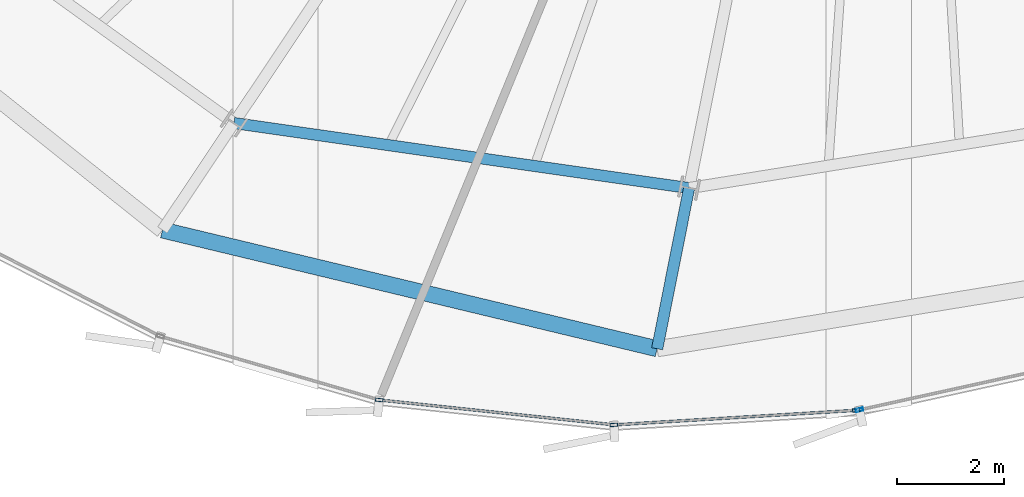
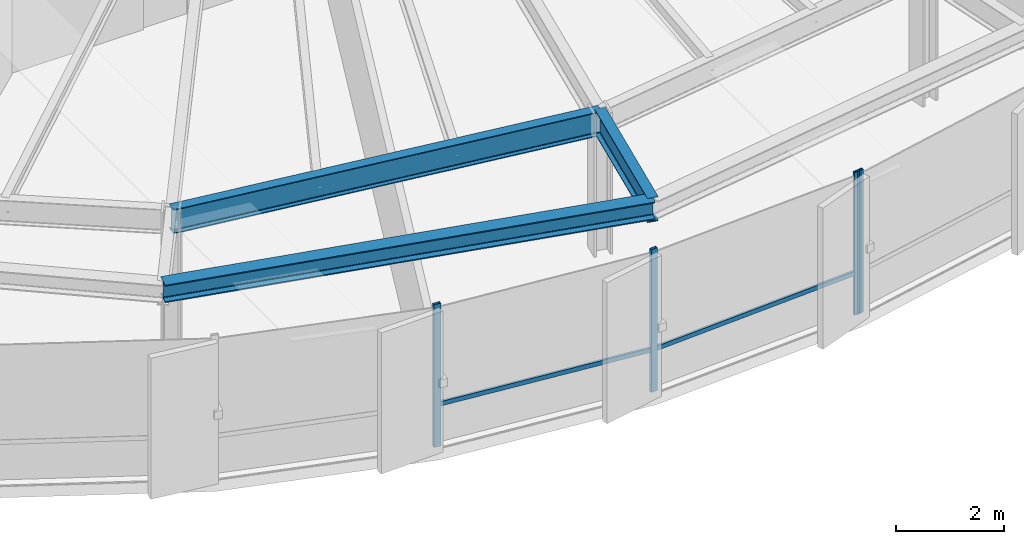
# One storey, part 6 of 35: 6 members, 3 beams, 2 elements without a shape of their own.
"""IFC4 building model written with IfcOpenShell, lengths in metres."""

from ifc_helpers import new_model, si_unit, direction, frame, origin, origin_2d, place, context, subcontext, project, spatial, hollow_rectangle, i_section, extrude, source, transform, mapped, material, layer, layer_set, material_profile, profile_set, type_object, element, aggregate, save


model = new_model("IFC4")

# Units and contexts
model_context = context("Model", 3, precision=1e-05, world=origin(), true_north=direction((0.0, 1.0)))
body_context = subcontext(model_context, "Body", "Model", "MODEL_VIEW")
ifc_project = project(units=[si_unit("LENGTHUNIT", "METRE"), si_unit("AREAUNIT", "SQUARE_METRE"), si_unit("VOLUMEUNIT", "CUBIC_METRE"), si_unit("PLANEANGLEUNIT", "RADIAN"), si_unit("MASSUNIT", "GRAM", prefix="KILO"), si_unit("THERMODYNAMICTEMPERATUREUNIT", "KELVIN")], contexts=[model_context])

# Site, building, storey
site_placement = place(None, origin())
site = spatial("IfcSite", under=ifc_project, at=site_placement, CompositionType="ELEMENT")
building_placement = place(site_placement, origin())
building = spatial("IfcBuilding", under=site, at=building_placement, Name="Kethvar Cultural Tower", CompositionType="ELEMENT")
storey_placement = place(building_placement, frame((0.0, 0.0, 167.85009765625)))
storey = spatial("IfcBuildingStorey", under=building, at=storey_placement, Name="L43", CompositionType="ELEMENT", Elevation=167.85009765625)

# Beams
ifc_material_1 = material(Name="Steel S355J2", Category="steel")
ifc_material_profile_1 = material_profile(ifc_material_1, i_section(OverallWidth=0.2099609375, OverallDepth=0.550048828125, WebThickness=0.010986328125, FlangeThickness=0.01708984375, FilletRadius=0.02392578125, at=origin_2d()), Name="Steel S355J2 — IPE550")
ifc_profile_set_1 = profile_set([ifc_material_profile_1], Name="Steel S355J2 — IPE550")
beam_type_1 = type_object("IfcBeamType", Name="BM-IPE550", PredefinedType="BEAM", material=ifc_profile_set_1)
shared_shape_1 = source(origin(), body_context, "Body", "SweptSolid", [
    extrude(i_section(OverallWidth=0.2099609375, OverallDepth=0.550048828125, WebThickness=0.010986328125, FlangeThickness=0.01708984375, FilletRadius=0.02392578125, at=origin_2d()), origin(), (0.0, 0.0, 1.0), 8.587890625),
])
beam_1_placement = place(storey_placement, frame((34.350830078125, 9.16845703125, 2.962890625), z_axis=(0.989943807123, -0.141461156288, 0.0), x_axis=(0.141461156288, 0.989943807123, 0.0)))
element("IfcBeam", 1, at=beam_1_placement, inside=storey, type_object=beam_type_1, Name="L43 Column Ring Tie Beam CR-11", PredefinedType="BEAM", context=body_context, shape_type="MappedRepresentation", body=[
    mapped(shared_shape_1, transform((0.0, 0.0, 0.0), scale=1.0)),
])
shared_shape_2 = source(origin(), body_context, "Body", "SweptSolid", [
    extrude(i_section(OverallWidth=0.2099609375, OverallDepth=0.550048828125, WebThickness=0.010986328125, FlangeThickness=0.01708984375, FilletRadius=0.02392578125, at=origin_2d()), origin(), (0.0, 0.0, 1.0), 3.0595703125),
])
beam_2_placement = place(storey_placement, frame((42.852294921875, 7.95361328125, 2.962890625), z_axis=(-0.195103224738, -0.980782713804, 0.0), x_axis=(0.980782713804, -0.195103224738, 0.0)))
element("IfcBeam", 2, at=beam_2_placement, inside=storey, type_object=beam_type_1, Name="L43 Perimeter Cantilever Beam RC-12", PredefinedType="BEAM", context=body_context, shape_type="MappedRepresentation", body=[
    mapped(shared_shape_2, transform((0.0, 0.0, 0.0), scale=1.0)),
])
ifc_material_profile_2 = material_profile(ifc_material_1, i_section(OverallWidth=0.300048828125, OverallDepth=0.39990234375, WebThickness=0.013427734375, FlangeThickness=0.02392578125, FilletRadius=0.027099609375, at=origin_2d()), Name="Steel S355J2 — HEB400")
ifc_profile_set_2 = profile_set([ifc_material_profile_2], Name="Steel S355J2 — HEB400")
beam_type_2 = type_object("IfcBeamType", Name="BM-SP400", PredefinedType="SPANDREL", material=ifc_profile_set_2)
shared_shape_3 = source(origin(), body_context, "Body", "SweptSolid", [
    extrude(i_section(OverallWidth=0.300048828125, OverallDepth=0.39990234375, WebThickness=0.013427734375, FlangeThickness=0.02392578125, FilletRadius=0.027099609375, at=origin_2d()), origin(), (0.0, 0.0, 1.0), 9.501953125),
])
beam_3_placement = place(storey_placement, frame((33.015869140625, 7.170654296875, 3.037841796875), z_axis=(0.972380304756, -0.233402105652, 0.0), x_axis=(0.233402105652, 0.972380304756, 0.0)))
element("IfcBeam", 3, at=beam_3_placement, inside=storey, type_object=beam_type_2, Name="L43 Perimeter Spandrel Beam SP-11", PredefinedType="SPANDREL", context=body_context, shape_type="MappedRepresentation", body=[
    mapped(shared_shape_3, transform((0.0, 0.0, 0.0), scale=1.0)),
])

# Curtain wall, members
ifc_material_2 = material(Name="Aluminium 6063-T6", Category="aluminium")
ifc_layer = layer(ifc_material_2, 0.179931640625, Name="Aluminium 6063-T6", Category="aluminium")
ifc_layer_set = layer_set([ifc_layer], Name="Aluminium 6063-T6 (180 mm)")
curtain_wall_type = type_object("IfcCurtainWallType", Name="CW-SYS-04-Z34", PredefinedType="NOTDEFINED", material=ifc_layer_set)
curtain_wall_1_placement = place(storey_placement, origin())
curtain_wall_1 = element("IfcCurtainWall", 4, at=curtain_wall_1_placement, inside=storey, type_object=curtain_wall_type, Name="L43 Curtain Wall Run 04", PredefinedType="NOTDEFINED")
ifc_material_profile_3 = material_profile(ifc_material_2, hollow_rectangle(XDim=0.06005859375, YDim=0.139892578125, WallThickness=0.0048828125, at=origin_2d()), Name="Aluminium 6063-T6 — RHS140x60x5")
ifc_profile_set_3 = profile_set([ifc_material_profile_3], Name="Aluminium 6063-T6 — RHS140x60x5")
member_type_1 = type_object("IfcMemberType", Name="CW-SYS-04-Z34-MUL", PredefinedType="MULLION", material=ifc_profile_set_3)
shared_shape_4 = source(origin(), body_context, "Body", "SweptSolid", [
    extrude(hollow_rectangle(XDim=0.06005859375, YDim=0.139892578125, WallThickness=0.0048828125, at=origin_2d()), origin(), (0.0, 0.0, 1.0), 3.239990234375),
])
member_1_placement = place(storey_placement, frame((37.064208984375, 3.99658203125, 0.0), z_axis=(0.0, 0.0, 1.0), x_axis=(0.105292170359, 0.994441330025, 0.0)))
member_1 = element("IfcMember", 5, at=member_1_placement, type_object=member_type_1, Name="CW-L43-R04 Mullion 5", PredefinedType="MULLION", context=body_context, shape_type="MappedRepresentation", body=[
    mapped(shared_shape_4, transform((0.0, 0.0, 0.0), scale=1.0)),
])
member_2_placement = place(storey_placement, frame((41.447998046875, 3.531005859375, 0.0), z_axis=(0.0, 0.0, 1.0), x_axis=(-0.060072949169, 0.998193989552, 0.0)))
member_2 = element("IfcMember", 6, at=member_2_placement, type_object=member_type_1, Name="CW-L43-R04 Mullion 6", PredefinedType="MULLION", context=body_context, shape_type="MappedRepresentation", body=[
    mapped(shared_shape_4, transform((0.0, 0.0, 0.0), scale=1.0)),
])
member_3_placement = place(storey_placement, frame((45.973388671875, 3.803466796875, 0.0), z_axis=(0.0, 0.0, 1.0), x_axis=(-0.060072949169, 0.998193989552, 0.0)))
member_3 = element("IfcMember", 7, at=member_3_placement, type_object=member_type_1, Name="CW-L43-R04 Mullion 7", PredefinedType="MULLION", context=body_context, shape_type="MappedRepresentation", body=[
    mapped(shared_shape_4, transform((0.0, 0.0, 0.0), scale=1.0)),
])

# Curtain wall, member
curtain_wall_2_placement = place(storey_placement, origin())
curtain_wall_2 = element("IfcCurtainWall", 8, at=curtain_wall_2_placement, inside=storey, type_object=curtain_wall_type, Name="L43 Curtain Wall Run 05", PredefinedType="NOTDEFINED")
member_4_placement = place(storey_placement, frame((46.033203125, 3.811767578125, 0.0), z_axis=(0.0, 0.0, 1.0), x_axis=(-0.214394391152, 0.9767471756, 0.0)))
member_4 = element("IfcMember", 9, at=member_4_placement, type_object=member_type_1, Name="CW-L43-R05 Mullion 1", PredefinedType="MULLION", context=body_context, shape_type="MappedRepresentation", body=[
    mapped(shared_shape_4, transform((0.0, 0.0, 0.0), scale=1.0)),
])
aggregate(curtain_wall_2, [member_4])

# Member
ifc_material_profile_4 = material_profile(ifc_material_2, hollow_rectangle(XDim=0.050048828125, YDim=0.10009765625, WallThickness=0.00390625, at=origin_2d()), Name="Aluminium 6063-T6 — RHS100x50x4")
ifc_profile_set_4 = profile_set([ifc_material_profile_4], Name="Aluminium 6063-T6 — RHS100x50x4")
member_type_2 = type_object("IfcMemberType", Name="CW-SYS-04-Z34-TRN", PredefinedType="USERDEFINED", material=ifc_profile_set_4)
shared_shape_5 = source(origin(), body_context, "Body", "SweptSolid", [
    extrude(hollow_rectangle(XDim=0.050048828125, YDim=0.10009765625, WallThickness=0.00390625, at=origin_2d()), origin(), (0.0, 0.0, 1.0), 4.340087890625),
])
member_5_placement = place(storey_placement, frame((37.107177734375, 3.9921875, 0.949951171875), z_axis=(0.994439913259, -0.105305550267, 0.0), x_axis=(0.105305550267, 0.994439913259, 0.0)))
member_5 = element("IfcMember", 10, at=member_5_placement, type_object=member_type_2, Name="CW-L43-R04 Transom 5", ObjectType="TRANSOM", PredefinedType="USERDEFINED", context=body_context, shape_type="MappedRepresentation", body=[
    mapped(shared_shape_5, transform((0.0, 0.0, 0.0), scale=1.0)),
])

shared_shape_6 = source(origin(), body_context, "Body", "SweptSolid", [
    extrude(hollow_rectangle(XDim=0.050048828125, YDim=0.10009765625, WallThickness=0.00390625, at=origin_2d()), origin(), (0.0, 0.0, 1.0), 4.486083984375),
])
member_6_placement = place(storey_placement, frame((41.490966796875, 3.53369140625, 0.949951171875), z_axis=(0.998196767555, 0.060026771051, 0.0), x_axis=(-0.060026771051, 0.998196767555, 0.0)))
member_6 = element("IfcMember", 11, at=member_6_placement, type_object=member_type_2, Name="CW-L43-R04 Transom 6", ObjectType="TRANSOM", PredefinedType="USERDEFINED", context=body_context, shape_type="MappedRepresentation", body=[
    mapped(shared_shape_6, transform((0.0, 0.0, 0.0), scale=1.0)),
])

aggregate(curtain_wall_1, [member_1, member_2, member_3, member_5, member_6])

save(model, "model.ifc")
